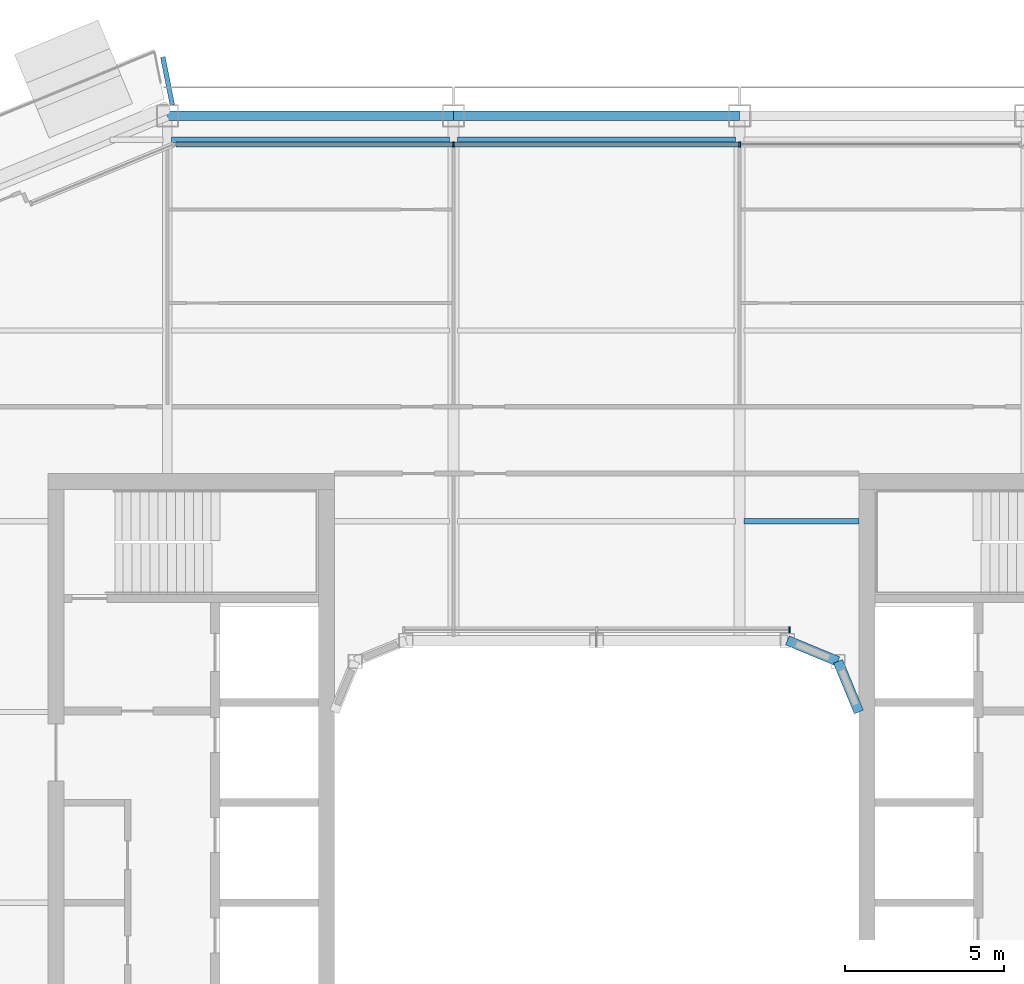
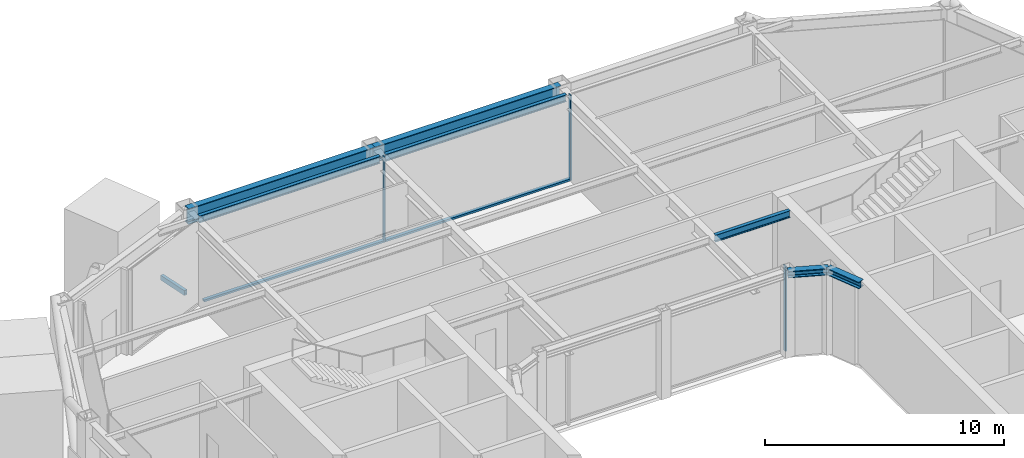
# One storey, part 9 of 22: 8 beams, 5 members, 2 elements without a shape of their own.
"""IFC4 building model written with IfcOpenShell, lengths in metres."""

from ifc_helpers import new_model, si_unit, direction, frame, origin, origin_2d, place, context, subcontext, project, spatial, rectangle, hollow_rectangle, i_section, extrude, material, layer, layer_set, material_profile, profile_set, type_object, element, aggregate, save


model = new_model("IFC4")

# Units and contexts
model_context = context("Model", 3, precision=1e-05, world=origin(), true_north=direction((0.0, 1.0)))
body_context = subcontext(model_context, "Body", "Model", "MODEL_VIEW")
ifc_project = project(units=[si_unit("LENGTHUNIT", "METRE"), si_unit("AREAUNIT", "SQUARE_METRE"), si_unit("VOLUMEUNIT", "CUBIC_METRE"), si_unit("PLANEANGLEUNIT", "RADIAN"), si_unit("MASSUNIT", "GRAM", prefix="KILO")], contexts=[model_context])

# Site, building, storey
site_placement = place(None, origin())
site = spatial("IfcSite", under=ifc_project, at=site_placement, CompositionType="ELEMENT")
building_placement = place(site_placement, origin())
building = spatial("IfcBuilding", under=site, at=building_placement, Name="Siwar Civic Tower", CompositionType="ELEMENT")
storey_placement = place(building_placement, frame((0.0, 0.0, 330.199951171875)))
storey = spatial("IfcBuildingStorey", under=building, at=storey_placement, Name="L71", CompositionType="ELEMENT", Elevation=330.199951171875)

# Beam
ifc_material_1 = material(Name="Steel S355", Category="steel")
ifc_material_profile_1 = material_profile(ifc_material_1, hollow_rectangle(XDim=0.14990234375, YDim=0.25, WallThickness=0.010009765625, at=origin_2d()), Name="RHS250x150x10")
ifc_profile_set_1 = profile_set([ifc_material_profile_1], Name="Steel S355")
beam_type_1 = type_object("IfcBeamType", Name="ENV-BALCONY ARM", PredefinedType="BEAM", material=ifc_profile_set_1)
beam_1_placement = place(storey_placement, frame((-13.34521484375, 25.10009765625, -0.27490234375), z_axis=(-0.195123670207, 0.980778646446, 0.0), x_axis=(-0.980778646446, -0.195123670207, 0.0)))
element("IfcBeam", 1, at=beam_1_placement, inside=storey, type_object=beam_type_1, Name="Balcony cantilever beam NW 1", PredefinedType="BEAM", context=body_context, shape_type="SweptSolid", body=[
    extrude(hollow_rectangle(XDim=0.14990234375, YDim=0.25, WallThickness=0.010009765625, at=origin_2d()), origin(), (0.0, 0.0, 1.0), 1.513916015625),
])

# Curtain wall, members
ifc_material_2 = material(Name="Aluminium and glass", Category="aluminium")
ifc_layer_1 = layer(ifc_material_2, 0.159912109375)
ifc_layer_set_1 = layer_set([ifc_layer_1], Name="Aluminium and glass")
curtain_wall_type_1 = type_object("IfcCurtainWallType", Name="ENV-CW-D", PredefinedType="NOTDEFINED", material=ifc_layer_set_1)
curtain_wall_1_placement = place(storey_placement, origin())
curtain_wall_1 = element("IfcCurtainWall", 2, at=curtain_wall_1_placement, inside=storey, type_object=curtain_wall_type_1, Name="Curtain wall D N", PredefinedType="NOTDEFINED")
ifc_material_3 = material(Name="Aluminium 6063-T6", Category="aluminium")
ifc_material_profile_2 = material_profile(ifc_material_3, rectangle(XDim=0.159912109375, YDim=0.06005859375, at=origin_2d()), Name="AL 160x60")
ifc_profile_set_2 = profile_set([ifc_material_profile_2], Name="Aluminium 6063-T6")
member_type_1 = type_object("IfcMemberType", Name="ENV-MULLION-D", PredefinedType="MULLION", material=ifc_profile_set_2)
member_1_placement = place(storey_placement, frame((4.5, 23.85009765625, 0.0), z_axis=(0.0, 0.0, 1.0), x_axis=(0.0, -1.0, 0.0)))
member_1 = element("IfcMember", 3, at=member_1_placement, type_object=member_type_1, Name="Mullion D N 2", PredefinedType="MULLION", context=body_context, shape_type="SweptSolid", body=[
    extrude(rectangle(XDim=0.159912109375, YDim=0.06005859375, at=origin_2d()), origin(), (0.0, 0.0, 1.0), 4.35009765625),
])
member_2_placement = place(storey_placement, frame((-4.5, 23.85009765625, 0.0), z_axis=(0.0, 0.0, 1.0), x_axis=(0.0, -1.0, 0.0)))
member_2 = element("IfcMember", 4, at=member_2_placement, type_object=member_type_1, Name="Mullion D N 3", PredefinedType="MULLION", context=body_context, shape_type="SweptSolid", body=[
    extrude(rectangle(XDim=0.159912109375, YDim=0.06005859375, at=origin_2d()), origin(), (0.0, 0.0, 1.0), 4.35009765625),
])

# Curtain wall, member
ifc_material_4 = material(Name="Aluminium and glass", Category="aluminium")
ifc_layer_2 = layer(ifc_material_4, 0.179931640625)
ifc_layer_set_2 = layer_set([ifc_layer_2], Name="Aluminium and glass")
curtain_wall_type_2 = type_object("IfcCurtainWallType", Name="ENV-CW-W", PredefinedType="NOTDEFINED", material=ifc_layer_set_2)
curtain_wall_2_placement = place(storey_placement, origin())
curtain_wall_2 = element("IfcCurtainWall", 5, at=curtain_wall_2_placement, inside=storey, type_object=curtain_wall_type_2, Name="Curtain wall W WN", PredefinedType="NOTDEFINED")
ifc_material_5 = material(Name="Aluminium 6063-T6", Category="aluminium")
ifc_material_profile_3 = material_profile(ifc_material_5, rectangle(XDim=0.179931640625, YDim=0.06005859375, at=origin_2d()), Name="AL 180x60")
ifc_profile_set_3 = profile_set([ifc_material_profile_3], Name="Aluminium 6063-T6")
member_type_2 = type_object("IfcMemberType", Name="ENV-MULLION-W", PredefinedType="MULLION", material=ifc_profile_set_3)
member_3_placement = place(storey_placement, frame((6.066650390625, 8.5849609375, 0.0), z_axis=(0.0, 0.0, 1.0), x_axis=(0.0, -1.0, 0.0)))
member_3 = element("IfcMember", 6, at=member_3_placement, type_object=member_type_2, Name="Mullion W WN 1", PredefinedType="MULLION", context=body_context, shape_type="SweptSolid", body=[
    extrude(rectangle(XDim=0.179931640625, YDim=0.06005859375, at=origin_2d()), origin(), (0.0, 0.0, 1.0), 4.35009765625),
])
aggregate(curtain_wall_2, [member_3])

# Member
ifc_material_6 = material(Name="Aluminium 6063-T6", Category="aluminium")
ifc_material_profile_4 = material_profile(ifc_material_6, rectangle(XDim=0.159912109375, YDim=0.10009765625, at=origin_2d()), Name="AL 160x100")
ifc_profile_set_4 = profile_set([ifc_material_profile_4], Name="Aluminium 6063-T6")
member_type_3 = type_object("IfcMemberType", Name="ENV-TRANSOM-D", PredefinedType="USERDEFINED", material=ifc_profile_set_4)
member_4_placement = place(storey_placement, frame((4.469970703125, 23.85009765625, 0.050048828125), z_axis=(-1.0, 0.0, 0.0), x_axis=(0.0, -1.0, 0.0)))
member_4 = element("IfcMember", 7, at=member_4_placement, type_object=member_type_3, Name="Transom D N 2", ObjectType="TRANSOM", PredefinedType="USERDEFINED", context=body_context, shape_type="SweptSolid", body=[
    extrude(rectangle(XDim=0.159912109375, YDim=0.10009765625, at=origin_2d()), origin(), (0.0, 0.0, 1.0), 8.93994140625),
])

member_5_placement = place(storey_placement, frame((-4.530029296875, 23.85009765625, 0.050048828125), z_axis=(-1.0, 0.0, 0.0), x_axis=(0.0, -1.0, 0.0)))
member_5 = element("IfcMember", 8, at=member_5_placement, type_object=member_type_3, Name="Transom D N 3", ObjectType="TRANSOM", PredefinedType="USERDEFINED", context=body_context, shape_type="SweptSolid", body=[
    extrude(rectangle(XDim=0.159912109375, YDim=0.10009765625, at=origin_2d()), origin(), (0.0, 0.0, 1.0), 8.693115234375),
])

aggregate(curtain_wall_1, [member_1, member_2, member_4, member_5])

# Beams
ifc_material_7 = material(Name="Steel S355", Category="steel")
ifc_material_profile_5 = material_profile(ifc_material_7, i_section(OverallWidth=0.169921875, OverallDepth=0.360107421875, WebThickness=0.008056640625, FlangeThickness=0.0126953125, FilletRadius=0.01806640625, at=origin_2d()), Name="IPE360")
ifc_profile_set_5 = profile_set([ifc_material_profile_5], Name="Steel S355")
beam_type_2 = type_object("IfcBeamType", Name="STR-FB-IPE360", PredefinedType="JOIST", material=ifc_profile_set_5)
beam_2_placement = place(storey_placement, frame((4.6298828125, 12.0, 4.170166015625), z_axis=(1.0, 0.0, 0.0), x_axis=(0.0, 1.0, 0.0)))
element("IfcBeam", 9, at=beam_2_placement, inside=storey, type_object=beam_type_2, Name="L71/bm/F025", PredefinedType="JOIST", context=body_context, shape_type="SweptSolid", body=[
    extrude(i_section(OverallWidth=0.169921875, OverallDepth=0.360107421875, WebThickness=0.008056640625, FlangeThickness=0.0126953125, FilletRadius=0.01806640625, at=origin_2d()), origin(), (0.0, 0.0, 1.0), 3.6201171875),
])
for number, where, z_axis, x_axis, name in (
    (10, (-13.3701171875, 24.0, 4.170166015625), (1.0, 0.0, 0.0), (0.0, 1.0, 0.0), "L71/bm/F033"),
    (11, (-4.3701171875, 24.0, 4.170166015625), (1.0, 0.0, 0.0), (0.0, 1.0, 0.0), "L71/bm/F034"),
):
    element("IfcBeam", number, at=place(storey_placement, frame(where, z_axis=z_axis, x_axis=x_axis)), inside=storey, type_object=beam_type_2, Name=name, PredefinedType="JOIST", context=body_context, shape_type="SweptSolid", body=[
        extrude(i_section(OverallWidth=0.169921875, OverallDepth=0.360107421875, WebThickness=0.008056640625, FlangeThickness=0.0126953125, FilletRadius=0.01806640625, at=origin_2d()), origin(), (0.0, 0.0, 1.0), 8.740234375),
    ])
ifc_material_8 = material(Name="Steel S355", Category="steel")
ifc_material_profile_6 = material_profile(ifc_material_8, i_section(OverallWidth=0.31005859375, OverallDepth=0.340087890625, WebThickness=0.02099609375, FlangeThickness=0.0390625, FilletRadius=0.027099609375, at=origin_2d()), Name="HEM300")
ifc_profile_set_6 = profile_set([ifc_material_profile_6], Name="Steel S355")
beam_type_3 = type_object("IfcBeamType", Name="STR-RB-HEM300", PredefinedType="BEAM", material=ifc_profile_set_6)
for number, where, z_axis, x_axis, name in (
    (12, (6.0, 8.25, 4.179931640625), (0.923901072997, -0.382631424892, 0.0), (0.382631424892, 0.923901072997, 0.0), "L71/bm/RN3"),
    (13, (7.591064453125, 7.591064453125, 4.179931640625), (0.382631424892, -0.923901072997, 0.0), (0.923901072997, 0.382631424892, 0.0), "L71/bm/RNEE"),
):
    element("IfcBeam", number, at=place(storey_placement, frame(where, z_axis=z_axis, x_axis=x_axis)), inside=storey, type_object=beam_type_3, Name=name, PredefinedType="BEAM", context=body_context, shape_type="SweptSolid", body=[
        extrude(i_section(OverallWidth=0.31005859375, OverallDepth=0.340087890625, WebThickness=0.02099609375, FlangeThickness=0.0390625, FilletRadius=0.027099609375, at=origin_2d()), origin(), (0.0, 0.0, 1.0), 1.72216796875),
    ])
ifc_material_9 = material(Name="Steel S355", Category="steel")
ifc_material_profile_7 = material_profile(ifc_material_9, i_section(OverallWidth=0.300048828125, OverallDepth=0.800048828125, WebThickness=0.017578125, FlangeThickness=0.032958984375, FilletRadius=0.030029296875, at=origin_2d()), Name="HEB800")
ifc_profile_set_7 = profile_set([ifc_material_profile_7], Name="Steel S355")
beam_type_4 = type_object("IfcBeamType", Name="STR-SB-HEB800", PredefinedType="BEAM", material=ifc_profile_set_7)
for number, where, z_axis, x_axis, name in (
    (14, (4.5, 24.75, 3.949951171875), (-1.0, 0.0, 0.0), (0.0, -1.0, 0.0), "L71/bm/SN-1"),
    (15, (-4.5, 24.75, 3.949951171875), (-1.0, 0.0, 0.0), (0.0, -1.0, 0.0), "L71/bm/SN-2"),
):
    element("IfcBeam", number, at=place(storey_placement, frame(where, z_axis=z_axis, x_axis=x_axis)), inside=storey, type_object=beam_type_4, Name=name, PredefinedType="BEAM", context=body_context, shape_type="SweptSolid", body=[
        extrude(i_section(OverallWidth=0.300048828125, OverallDepth=0.800048828125, WebThickness=0.017578125, FlangeThickness=0.032958984375, FilletRadius=0.030029296875, at=origin_2d()), origin(), (0.0, 0.0, 1.0), 9.0),
    ])

save(model, "model.ifc")
